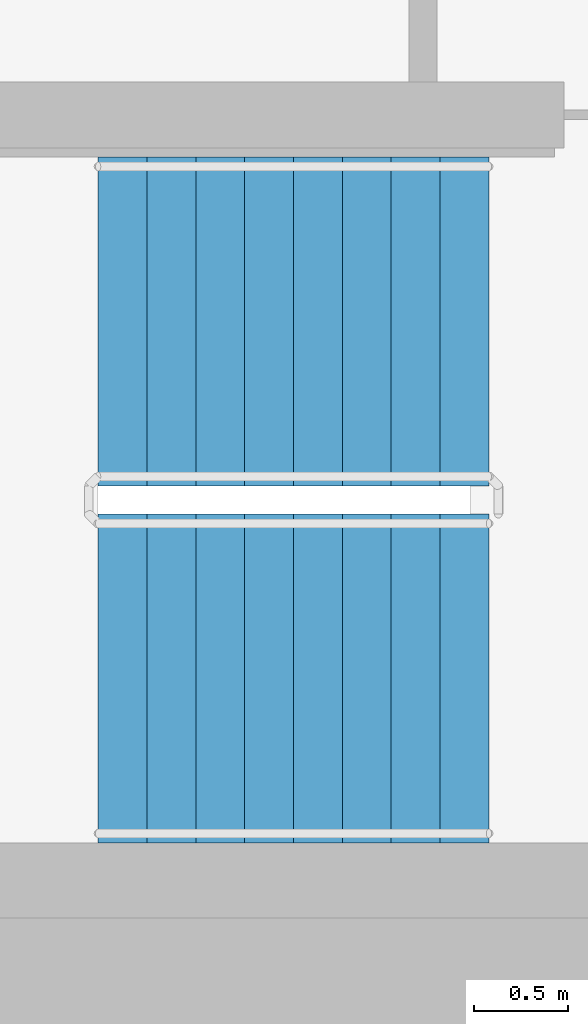
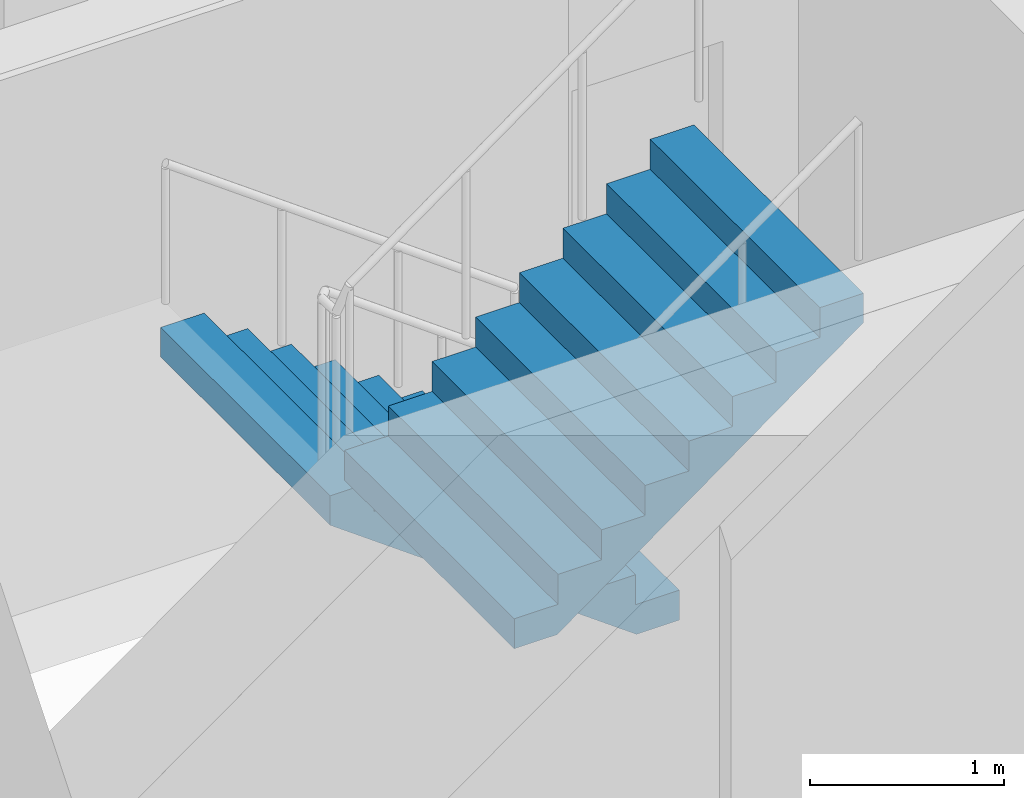
# One storey, part 12 of 18: 2 stair flights, 1 element without a shape of its own.
"""IFC4 building model written with IfcOpenShell, lengths in metres."""

from ifc_helpers import new_model, si_unit, direction, frame, origin, place, context, subcontext, project, spatial, faceted_brep, material, type_object, element, aggregate, save


model = new_model("IFC4")

# Units and contexts
model_context = context("Model", 3, precision=1e-05, world=origin(), true_north=direction((0.0, 1.0)))
body_context = subcontext(model_context, "Body", "Model", "MODEL_VIEW")
ifc_project = project(units=[si_unit("LENGTHUNIT", "METRE"), si_unit("AREAUNIT", "SQUARE_METRE"), si_unit("VOLUMEUNIT", "CUBIC_METRE"), si_unit("PLANEANGLEUNIT", "RADIAN"), si_unit("MASSUNIT", "GRAM", prefix="KILO")], contexts=[model_context])

# Site, building, storey
site_placement = place(None, origin())
site = spatial("IfcSite", under=ifc_project, at=site_placement, CompositionType="ELEMENT")
building_placement = place(site_placement, origin())
building = spatial("IfcBuilding", under=site, at=building_placement, Name="Ipe Terrace Towers", CompositionType="ELEMENT")
storey_placement = place(building_placement, frame((0.0, 0.0, 143.89990234375)))
storey = spatial("IfcBuildingStorey", under=building, at=storey_placement, Name="L39", CompositionType="ELEMENT", Elevation=143.89990234375)

# Stair, stair flights
ifc_material_1 = material(Name="Concrete C30/37", Category="concrete")
stair_type = type_object("IfcStairType", Name="Protected exit stair", PredefinedType="HALF_TURN_STAIR", material=ifc_material_1)
stair_placement = place(storey_placement, origin())
stair = element("IfcStair", 1, at=stair_placement, inside=storey, type_object=stair_type, Name="L39 Exit stair T1-C2", PredefinedType="HALF_TURN_STAIR")
ifc_material_2 = material(Name="Concrete C30/37", Category="concrete")
stair_flight_type = type_object("IfcStairFlightType", Name="Exit stair flight 1750", PredefinedType="STRAIGHT", material=ifc_material_2)
stair_flight_1_placement = place(storey_placement, frame((-45.699951171875, -2.77490234375, 0.0), z_axis=(0.0, 0.0, 1.0), x_axis=(-1.0, 0.0, 0.0)))
stair_flight_1 = element("IfcStairFlight", 2, at=stair_flight_1_placement, type_object=stair_flight_type, Name="T1-ST2 flight 1", NumberOfRisers=9, NumberOfTreads=8, PredefinedType="STRAIGHT", RiserHeight=0.188888889, TreadLength=0.26, context=body_context, shape_type="Brep", body=[
    faceted_brep([(0.255126953125, -0.875, 0.0), (2.080078125, -0.875, 1.325927734375), (2.080078125, -0.875, 1.51123046875), (1.820068359375, -0.875, 1.51123046875), (1.820068359375, -0.875, 1.322265625), (1.56005859375, -0.875, 1.322265625), (1.56005859375, -0.875, 1.13330078125), (1.300048828125, -0.875, 1.13330078125), (1.300048828125, -0.875, 0.9443359375), (1.0400390625, -0.875, 0.9443359375), (1.0400390625, -0.875, 0.755615234375), (0.780029296875, -0.875, 0.755615234375), (0.780029296875, -0.875, 0.566650390625), (0.52001953125, -0.875, 0.566650390625), (0.52001953125, -0.875, 0.377685546875), (0.260009765625, -0.875, 0.377685546875), (0.260009765625, -0.875, 0.18896484375), (0.0, -0.875, 0.18896484375), (0.0, -0.875, 0.0), (0.0, 0.875, 0.0), (0.0, 0.875, 0.18896484375), (0.260009765625, 0.875, 0.18896484375), (0.260009765625, 0.875, 0.377685546875), (0.52001953125, 0.875, 0.377685546875), (0.52001953125, 0.875, 0.566650390625), (0.780029296875, 0.875, 0.566650390625), (0.780029296875, 0.875, 0.755615234375), (1.0400390625, 0.875, 0.755615234375), (1.0400390625, 0.875, 0.9443359375), (1.300048828125, 0.875, 0.9443359375), (1.300048828125, 0.875, 1.13330078125), (1.56005859375, 0.875, 1.13330078125), (1.56005859375, 0.875, 1.322265625), (1.820068359375, 0.875, 1.322265625), (1.820068359375, 0.875, 1.51123046875), (2.080078125, 0.875, 1.51123046875), (2.080078125, 0.875, 1.325927734375), (0.255126953125, 0.875, 0.0), (0.0, -0.300048828125, 0.18896484375), (0.0, -0.1201171875, 0.18896484375), (0.0, -0.06005859375, 0.18896484375), (0.0, -0.030029296875, 0.18896484375), (0.0, -0.010009765625, 0.18896484375), (0.0, 0.0, 0.18896484375), (0.0, 0.010009765625, 0.18896484375), (0.0, 0.030029296875, 0.18896484375), (0.0, 0.06005859375, 0.18896484375), (0.0, 0.1201171875, 0.18896484375), (0.0, 0.300048828125, 0.18896484375), (0.0, 0.300048828125, 0.0), (0.0, 0.1201171875, 0.0), (0.0, 0.06005859375, 0.0), (0.0, 0.030029296875, 0.0), (0.0, 0.010009765625, 0.0), (0.0, 0.0, 0.0), (0.0, -0.010009765625, 0.0), (0.0, -0.030029296875, 0.0), (0.0, -0.06005859375, 0.0), (0.0, -0.1201171875, 0.0), (0.0, -0.300048828125, 0.0), (0.260009765625, -0.300048828125, 0.18896484375), (0.260009765625, -0.1201171875, 0.18896484375), (0.260009765625, -0.06005859375, 0.18896484375), (0.260009765625, -0.030029296875, 0.18896484375), (0.260009765625, -0.010009765625, 0.18896484375), (0.260009765625, 0.0, 0.18896484375), (0.260009765625, 0.010009765625, 0.18896484375), (0.260009765625, 0.030029296875, 0.18896484375), (0.260009765625, 0.06005859375, 0.18896484375), (0.260009765625, 0.1201171875, 0.18896484375), (0.260009765625, 0.300048828125, 0.18896484375), (0.260009765625, -0.300048828125, 0.377685546875), (0.260009765625, -0.1201171875, 0.377685546875), (0.260009765625, -0.06005859375, 0.377685546875), (0.260009765625, -0.030029296875, 0.377685546875), (0.260009765625, -0.010009765625, 0.377685546875), (0.260009765625, 0.0, 0.377685546875), (0.260009765625, 0.010009765625, 0.377685546875), (0.260009765625, 0.030029296875, 0.377685546875), (0.260009765625, 0.06005859375, 0.377685546875), (0.260009765625, 0.1201171875, 0.377685546875), (0.260009765625, 0.300048828125, 0.377685546875), (0.52001953125, -0.300048828125, 0.377685546875), (0.52001953125, -0.1201171875, 0.377685546875), (0.52001953125, -0.06005859375, 0.377685546875), (0.52001953125, -0.030029296875, 0.377685546875), (0.52001953125, -0.010009765625, 0.377685546875), (0.52001953125, 0.0, 0.377685546875), (0.52001953125, 0.010009765625, 0.377685546875), (0.52001953125, 0.030029296875, 0.377685546875), (0.52001953125, 0.06005859375, 0.377685546875), (0.52001953125, 0.1201171875, 0.377685546875), (0.52001953125, 0.300048828125, 0.377685546875), (0.52001953125, -0.300048828125, 0.566650390625), (0.52001953125, -0.1201171875, 0.566650390625), (0.52001953125, -0.06005859375, 0.566650390625), (0.52001953125, -0.030029296875, 0.566650390625), (0.52001953125, -0.010009765625, 0.566650390625), (0.52001953125, 0.0, 0.566650390625), (0.52001953125, 0.010009765625, 0.566650390625), (0.52001953125, 0.030029296875, 0.566650390625), (0.52001953125, 0.06005859375, 0.566650390625), (0.52001953125, 0.1201171875, 0.566650390625), (0.52001953125, 0.300048828125, 0.566650390625), (0.780029296875, -0.300048828125, 0.566650390625), (0.780029296875, -0.1201171875, 0.566650390625), (0.780029296875, -0.06005859375, 0.566650390625), (0.780029296875, -0.030029296875, 0.566650390625), (0.780029296875, -0.010009765625, 0.566650390625), (0.780029296875, 0.0, 0.566650390625), (0.780029296875, 0.010009765625, 0.566650390625), (0.780029296875, 0.030029296875, 0.566650390625), (0.780029296875, 0.06005859375, 0.566650390625), (0.780029296875, 0.1201171875, 0.566650390625), (0.780029296875, 0.300048828125, 0.566650390625), (0.780029296875, -0.300048828125, 0.755615234375), (0.780029296875, -0.1201171875, 0.755615234375), (0.780029296875, -0.06005859375, 0.755615234375), (0.780029296875, -0.030029296875, 0.755615234375), (0.780029296875, -0.010009765625, 0.755615234375), (0.780029296875, 0.0, 0.755615234375), (0.780029296875, 0.010009765625, 0.755615234375), (0.780029296875, 0.030029296875, 0.755615234375), (0.780029296875, 0.06005859375, 0.755615234375), (0.780029296875, 0.1201171875, 0.755615234375), (0.780029296875, 0.300048828125, 0.755615234375), (1.0400390625, -0.300048828125, 0.755615234375), (1.0400390625, -0.1201171875, 0.755615234375), (1.0400390625, -0.06005859375, 0.755615234375), (1.0400390625, -0.030029296875, 0.755615234375), (1.0400390625, -0.010009765625, 0.755615234375), (1.0400390625, 0.0, 0.755615234375), (1.0400390625, 0.010009765625, 0.755615234375), (1.0400390625, 0.030029296875, 0.755615234375), (1.0400390625, 0.06005859375, 0.755615234375), (1.0400390625, 0.1201171875, 0.755615234375), (1.0400390625, 0.300048828125, 0.755615234375), (1.0400390625, -0.300048828125, 0.9443359375), (1.0400390625, -0.1201171875, 0.9443359375), (1.0400390625, -0.06005859375, 0.9443359375), (1.0400390625, -0.030029296875, 0.9443359375), (1.0400390625, -0.010009765625, 0.9443359375), (1.0400390625, 0.0, 0.9443359375), (1.0400390625, 0.010009765625, 0.9443359375), (1.0400390625, 0.030029296875, 0.9443359375), (1.0400390625, 0.06005859375, 0.9443359375), (1.0400390625, 0.1201171875, 0.9443359375), (1.0400390625, 0.300048828125, 0.9443359375), (1.300048828125, -0.300048828125, 0.9443359375), (1.300048828125, -0.1201171875, 0.9443359375), (1.300048828125, -0.06005859375, 0.9443359375), (1.300048828125, -0.030029296875, 0.9443359375), (1.300048828125, -0.010009765625, 0.9443359375), (1.300048828125, 0.0, 0.9443359375), (1.300048828125, 0.010009765625, 0.9443359375), (1.300048828125, 0.030029296875, 0.9443359375), (1.300048828125, 0.06005859375, 0.9443359375), (1.300048828125, 0.1201171875, 0.9443359375), (1.300048828125, 0.300048828125, 0.9443359375), (1.300048828125, -0.300048828125, 1.13330078125), (1.300048828125, -0.1201171875, 1.13330078125), (1.300048828125, -0.06005859375, 1.13330078125), (1.300048828125, -0.030029296875, 1.13330078125), (1.300048828125, -0.010009765625, 1.13330078125), (1.300048828125, 0.0, 1.13330078125), (1.300048828125, 0.010009765625, 1.13330078125), (1.300048828125, 0.030029296875, 1.13330078125), (1.300048828125, 0.06005859375, 1.13330078125), (1.300048828125, 0.1201171875, 1.13330078125), (1.300048828125, 0.300048828125, 1.13330078125), (1.56005859375, -0.300048828125, 1.13330078125), (1.56005859375, -0.1201171875, 1.13330078125), (1.56005859375, -0.06005859375, 1.13330078125), (1.56005859375, -0.030029296875, 1.13330078125), (1.56005859375, -0.010009765625, 1.13330078125), (1.56005859375, 0.0, 1.13330078125), (1.56005859375, 0.010009765625, 1.13330078125), (1.56005859375, 0.030029296875, 1.13330078125), (1.56005859375, 0.06005859375, 1.13330078125), (1.56005859375, 0.1201171875, 1.13330078125), (1.56005859375, 0.300048828125, 1.13330078125), (1.56005859375, -0.300048828125, 1.322265625), (1.56005859375, -0.1201171875, 1.322265625), (1.56005859375, -0.06005859375, 1.322265625), (1.56005859375, -0.030029296875, 1.322265625), (1.56005859375, -0.010009765625, 1.322265625), (1.56005859375, 0.0, 1.322265625), (1.56005859375, 0.010009765625, 1.322265625), (1.56005859375, 0.030029296875, 1.322265625), (1.56005859375, 0.06005859375, 1.322265625), (1.56005859375, 0.1201171875, 1.322265625), (1.56005859375, 0.300048828125, 1.322265625), (1.820068359375, -0.300048828125, 1.322265625), (1.820068359375, -0.1201171875, 1.322265625), (1.820068359375, -0.06005859375, 1.322265625), (1.820068359375, -0.030029296875, 1.322265625), (1.820068359375, -0.010009765625, 1.322265625), (1.820068359375, 0.0, 1.322265625), (1.820068359375, 0.010009765625, 1.322265625), (1.820068359375, 0.030029296875, 1.322265625), (1.820068359375, 0.06005859375, 1.322265625), (1.820068359375, 0.1201171875, 1.322265625), (1.820068359375, 0.300048828125, 1.322265625), (1.820068359375, -0.300048828125, 1.51123046875), (1.820068359375, -0.1201171875, 1.51123046875), (1.820068359375, -0.06005859375, 1.51123046875), (1.820068359375, -0.030029296875, 1.51123046875), (1.820068359375, -0.010009765625, 1.51123046875), (1.820068359375, 0.0, 1.51123046875), (1.820068359375, 0.010009765625, 1.51123046875), (1.820068359375, 0.030029296875, 1.51123046875), (1.820068359375, 0.06005859375, 1.51123046875), (1.820068359375, 0.1201171875, 1.51123046875), (1.820068359375, 0.300048828125, 1.51123046875), (2.080078125, -0.300048828125, 1.51123046875), (2.080078125, -0.1201171875, 1.51123046875), (2.080078125, -0.06005859375, 1.51123046875), (2.080078125, -0.030029296875, 1.51123046875), (2.080078125, -0.010009765625, 1.51123046875), (2.080078125, 0.0, 1.51123046875), (2.080078125, 0.010009765625, 1.51123046875), (2.080078125, 0.030029296875, 1.51123046875), (2.080078125, 0.06005859375, 1.51123046875), (2.080078125, 0.1201171875, 1.51123046875), (2.080078125, 0.300048828125, 1.51123046875), (2.080078125, -0.300048828125, 1.325927734375), (2.080078125, -0.1201171875, 1.325927734375), (2.080078125, -0.06005859375, 1.325927734375), (2.080078125, -0.030029296875, 1.325927734375), (2.080078125, -0.010009765625, 1.325927734375), (2.080078125, 0.0, 1.325927734375), (2.080078125, 0.010009765625, 1.325927734375), (2.080078125, 0.030029296875, 1.325927734375), (2.080078125, 0.06005859375, 1.325927734375), (2.080078125, 0.1201171875, 1.325927734375), (2.080078125, 0.300048828125, 1.325927734375), (0.255126953125, -0.300048828125, 0.0), (0.255126953125, -0.1201171875, 0.0), (0.255126953125, -0.06005859375, 0.0), (0.255126953125, -0.030029296875, 0.0), (0.255126953125, -0.010009765625, 0.0), (0.255126953125, 0.0, 0.0), (0.255126953125, 0.010009765625, 0.0), (0.255126953125, 0.030029296875, 0.0), (0.255126953125, 0.06005859375, 0.0), (0.255126953125, 0.1201171875, 0.0), (0.255126953125, 0.300048828125, 0.0)], [[[0, 1, 2, 3, 4, 5, 6, 7, 8, 9, 10, 11, 12, 13, 14, 15, 16, 17, 18]], [[19, 20, 21, 22, 23, 24, 25, 26, 27, 28, 29, 30, 31, 32, 33, 34, 35, 36, 37]], [[17, 38, 39, 40, 41, 42, 43, 44, 45, 46, 47, 48, 20, 19, 49, 50, 51, 52, 53, 54, 55, 56, 57, 58, 59, 18]], [[16, 60, 61, 62, 63, 64, 65, 66, 67, 68, 69, 70, 21, 20, 48, 47, 46, 45, 44, 43, 42, 41, 40, 39, 38, 17]], [[15, 71, 72, 73, 74, 75, 76, 77, 78, 79, 80, 81, 22, 21, 70, 69, 68, 67, 66, 65, 64, 63, 62, 61, 60, 16]], [[14, 82, 83, 84, 85, 86, 87, 88, 89, 90, 91, 92, 23, 22, 81, 80, 79, 78, 77, 76, 75, 74, 73, 72, 71, 15]], [[13, 93, 94, 95, 96, 97, 98, 99, 100, 101, 102, 103, 24, 23, 92, 91, 90, 89, 88, 87, 86, 85, 84, 83, 82, 14]], [[12, 104, 105, 106, 107, 108, 109, 110, 111, 112, 113, 114, 25, 24, 103, 102, 101, 100, 99, 98, 97, 96, 95, 94, 93, 13]], [[11, 115, 116, 117, 118, 119, 120, 121, 122, 123, 124, 125, 26, 25, 114, 113, 112, 111, 110, 109, 108, 107, 106, 105, 104, 12]], [[10, 126, 127, 128, 129, 130, 131, 132, 133, 134, 135, 136, 27, 26, 125, 124, 123, 122, 121, 120, 119, 118, 117, 116, 115, 11]], [[9, 137, 138, 139, 140, 141, 142, 143, 144, 145, 146, 147, 28, 27, 136, 135, 134, 133, 132, 131, 130, 129, 128, 127, 126, 10]], [[8, 148, 149, 150, 151, 152, 153, 154, 155, 156, 157, 158, 29, 28, 147, 146, 145, 144, 143, 142, 141, 140, 139, 138, 137, 9]], [[7, 159, 160, 161, 162, 163, 164, 165, 166, 167, 168, 169, 30, 29, 158, 157, 156, 155, 154, 153, 152, 151, 150, 149, 148, 8]], [[6, 170, 171, 172, 173, 174, 175, 176, 177, 178, 179, 180, 31, 30, 169, 168, 167, 166, 165, 164, 163, 162, 161, 160, 159, 7]], [[5, 181, 182, 183, 184, 185, 186, 187, 188, 189, 190, 191, 32, 31, 180, 179, 178, 177, 176, 175, 174, 173, 172, 171, 170, 6]], [[4, 192, 193, 194, 195, 196, 197, 198, 199, 200, 201, 202, 33, 32, 191, 190, 189, 188, 187, 186, 185, 184, 183, 182, 181, 5]], [[3, 203, 204, 205, 206, 207, 208, 209, 210, 211, 212, 213, 34, 33, 202, 201, 200, 199, 198, 197, 196, 195, 194, 193, 192, 4]], [[2, 214, 215, 216, 217, 218, 219, 220, 221, 222, 223, 224, 35, 34, 213, 212, 211, 210, 209, 208, 207, 206, 205, 204, 203, 3]], [[1, 225, 226, 227, 228, 229, 230, 231, 232, 233, 234, 235, 36, 35, 224, 223, 222, 221, 220, 219, 218, 217, 216, 215, 214, 2]], [[0, 236, 237, 238, 239, 240, 241, 242, 243, 244, 245, 246, 37, 36, 235, 234, 233, 232, 231, 230, 229, 228, 227, 226, 225, 1]], [[18, 59, 58, 57, 56, 55, 54, 53, 52, 51, 50, 49, 19, 37, 246, 245, 244, 243, 242, 241, 240, 239, 238, 237, 236, 0]]]),
])
stair_flight_2_placement = place(storey_placement, frame((-47.780029296875, -4.675048828125, 1.7001953125), z_axis=(0.0, 0.0, 1.0), x_axis=(1.0, 0.0, 0.0)))
stair_flight_2 = element("IfcStairFlight", 3, at=stair_flight_2_placement, type_object=stair_flight_type, Name="T1-ST2 flight 2", NumberOfRisers=9, NumberOfTreads=8, PredefinedType="STRAIGHT", RiserHeight=0.188888889, TreadLength=0.26, context=body_context, shape_type="Brep", body=[
    faceted_brep([(0.255126953125, -0.875, 0.0), (2.080078125, -0.875, 1.325927734375), (2.080078125, -0.875, 1.51123046875), (1.820068359375, -0.875, 1.51123046875), (1.820068359375, -0.875, 1.322265625), (1.56005859375, -0.875, 1.322265625), (1.56005859375, -0.875, 1.13330078125), (1.300048828125, -0.875, 1.13330078125), (1.300048828125, -0.875, 0.9443359375), (1.0400390625, -0.875, 0.9443359375), (1.0400390625, -0.875, 0.755615234375), (0.780029296875, -0.875, 0.755615234375), (0.780029296875, -0.875, 0.566650390625), (0.52001953125, -0.875, 0.566650390625), (0.52001953125, -0.875, 0.377685546875), (0.260009765625, -0.875, 0.377685546875), (0.260009765625, -0.875, 0.18896484375), (0.0, -0.875, 0.18896484375), (0.0, -0.875, 0.0), (0.0, 0.875, 0.0), (0.0, 0.875, 0.18896484375), (0.260009765625, 0.875, 0.18896484375), (0.260009765625, 0.875, 0.377685546875), (0.52001953125, 0.875, 0.377685546875), (0.52001953125, 0.875, 0.566650390625), (0.780029296875, 0.875, 0.566650390625), (0.780029296875, 0.875, 0.755615234375), (1.0400390625, 0.875, 0.755615234375), (1.0400390625, 0.875, 0.9443359375), (1.300048828125, 0.875, 0.9443359375), (1.300048828125, 0.875, 1.13330078125), (1.56005859375, 0.875, 1.13330078125), (1.56005859375, 0.875, 1.322265625), (1.820068359375, 0.875, 1.322265625), (1.820068359375, 0.875, 1.51123046875), (2.080078125, 0.875, 1.51123046875), (2.080078125, 0.875, 1.325927734375), (0.255126953125, 0.875, 0.0), (0.0, -0.300048828125, 0.18896484375), (0.0, -0.1201171875, 0.18896484375), (0.0, -0.06005859375, 0.18896484375), (0.0, -0.030029296875, 0.18896484375), (0.0, -0.010009765625, 0.18896484375), (0.0, 0.0, 0.18896484375), (0.0, 0.010009765625, 0.18896484375), (0.0, 0.030029296875, 0.18896484375), (0.0, 0.06005859375, 0.18896484375), (0.0, 0.1201171875, 0.18896484375), (0.0, 0.300048828125, 0.18896484375), (0.0, 0.300048828125, 0.0), (0.0, 0.1201171875, 0.0), (0.0, 0.06005859375, 0.0), (0.0, 0.030029296875, 0.0), (0.0, 0.010009765625, 0.0), (0.0, 0.0, 0.0), (0.0, -0.010009765625, 0.0), (0.0, -0.030029296875, 0.0), (0.0, -0.06005859375, 0.0), (0.0, -0.1201171875, 0.0), (0.0, -0.300048828125, 0.0), (0.260009765625, -0.300048828125, 0.18896484375), (0.260009765625, -0.1201171875, 0.18896484375), (0.260009765625, -0.06005859375, 0.18896484375), (0.260009765625, -0.030029296875, 0.18896484375), (0.260009765625, -0.010009765625, 0.18896484375), (0.260009765625, 0.0, 0.18896484375), (0.260009765625, 0.010009765625, 0.18896484375), (0.260009765625, 0.030029296875, 0.18896484375), (0.260009765625, 0.06005859375, 0.18896484375), (0.260009765625, 0.1201171875, 0.18896484375), (0.260009765625, 0.300048828125, 0.18896484375), (0.260009765625, -0.300048828125, 0.377685546875), (0.260009765625, -0.1201171875, 0.377685546875), (0.260009765625, -0.06005859375, 0.377685546875), (0.260009765625, -0.030029296875, 0.377685546875), (0.260009765625, -0.010009765625, 0.377685546875), (0.260009765625, 0.0, 0.377685546875), (0.260009765625, 0.010009765625, 0.377685546875), (0.260009765625, 0.030029296875, 0.377685546875), (0.260009765625, 0.06005859375, 0.377685546875), (0.260009765625, 0.1201171875, 0.377685546875), (0.260009765625, 0.300048828125, 0.377685546875), (0.52001953125, -0.300048828125, 0.377685546875), (0.52001953125, -0.1201171875, 0.377685546875), (0.52001953125, -0.06005859375, 0.377685546875), (0.52001953125, -0.030029296875, 0.377685546875), (0.52001953125, -0.010009765625, 0.377685546875), (0.52001953125, 0.0, 0.377685546875), (0.52001953125, 0.010009765625, 0.377685546875), (0.52001953125, 0.030029296875, 0.377685546875), (0.52001953125, 0.06005859375, 0.377685546875), (0.52001953125, 0.1201171875, 0.377685546875), (0.52001953125, 0.300048828125, 0.377685546875), (0.52001953125, -0.300048828125, 0.566650390625), (0.52001953125, -0.1201171875, 0.566650390625), (0.52001953125, -0.06005859375, 0.566650390625), (0.52001953125, -0.030029296875, 0.566650390625), (0.52001953125, -0.010009765625, 0.566650390625), (0.52001953125, 0.0, 0.566650390625), (0.52001953125, 0.010009765625, 0.566650390625), (0.52001953125, 0.030029296875, 0.566650390625), (0.52001953125, 0.06005859375, 0.566650390625), (0.52001953125, 0.1201171875, 0.566650390625), (0.52001953125, 0.300048828125, 0.566650390625), (0.780029296875, -0.300048828125, 0.566650390625), (0.780029296875, -0.1201171875, 0.566650390625), (0.780029296875, -0.06005859375, 0.566650390625), (0.780029296875, -0.030029296875, 0.566650390625), (0.780029296875, -0.010009765625, 0.566650390625), (0.780029296875, 0.0, 0.566650390625), (0.780029296875, 0.010009765625, 0.566650390625), (0.780029296875, 0.030029296875, 0.566650390625), (0.780029296875, 0.06005859375, 0.566650390625), (0.780029296875, 0.1201171875, 0.566650390625), (0.780029296875, 0.300048828125, 0.566650390625), (0.780029296875, -0.300048828125, 0.755615234375), (0.780029296875, -0.1201171875, 0.755615234375), (0.780029296875, -0.06005859375, 0.755615234375), (0.780029296875, -0.030029296875, 0.755615234375), (0.780029296875, -0.010009765625, 0.755615234375), (0.780029296875, 0.0, 0.755615234375), (0.780029296875, 0.010009765625, 0.755615234375), (0.780029296875, 0.030029296875, 0.755615234375), (0.780029296875, 0.06005859375, 0.755615234375), (0.780029296875, 0.1201171875, 0.755615234375), (0.780029296875, 0.300048828125, 0.755615234375), (1.0400390625, -0.300048828125, 0.755615234375), (1.0400390625, -0.1201171875, 0.755615234375), (1.0400390625, -0.06005859375, 0.755615234375), (1.0400390625, -0.030029296875, 0.755615234375), (1.0400390625, -0.010009765625, 0.755615234375), (1.0400390625, 0.0, 0.755615234375), (1.0400390625, 0.010009765625, 0.755615234375), (1.0400390625, 0.030029296875, 0.755615234375), (1.0400390625, 0.06005859375, 0.755615234375), (1.0400390625, 0.1201171875, 0.755615234375), (1.0400390625, 0.300048828125, 0.755615234375), (1.0400390625, -0.300048828125, 0.9443359375), (1.0400390625, -0.1201171875, 0.9443359375), (1.0400390625, -0.06005859375, 0.9443359375), (1.0400390625, -0.030029296875, 0.9443359375), (1.0400390625, -0.010009765625, 0.9443359375), (1.0400390625, 0.0, 0.9443359375), (1.0400390625, 0.010009765625, 0.9443359375), (1.0400390625, 0.030029296875, 0.9443359375), (1.0400390625, 0.06005859375, 0.9443359375), (1.0400390625, 0.1201171875, 0.9443359375), (1.0400390625, 0.300048828125, 0.9443359375), (1.300048828125, -0.300048828125, 0.9443359375), (1.300048828125, -0.1201171875, 0.9443359375), (1.300048828125, -0.06005859375, 0.9443359375), (1.300048828125, -0.030029296875, 0.9443359375), (1.300048828125, -0.010009765625, 0.9443359375), (1.300048828125, 0.0, 0.9443359375), (1.300048828125, 0.010009765625, 0.9443359375), (1.300048828125, 0.030029296875, 0.9443359375), (1.300048828125, 0.06005859375, 0.9443359375), (1.300048828125, 0.1201171875, 0.9443359375), (1.300048828125, 0.300048828125, 0.9443359375), (1.300048828125, -0.300048828125, 1.13330078125), (1.300048828125, -0.1201171875, 1.13330078125), (1.300048828125, -0.06005859375, 1.13330078125), (1.300048828125, -0.030029296875, 1.13330078125), (1.300048828125, -0.010009765625, 1.13330078125), (1.300048828125, 0.0, 1.13330078125), (1.300048828125, 0.010009765625, 1.13330078125), (1.300048828125, 0.030029296875, 1.13330078125), (1.300048828125, 0.06005859375, 1.13330078125), (1.300048828125, 0.1201171875, 1.13330078125), (1.300048828125, 0.300048828125, 1.13330078125), (1.56005859375, -0.300048828125, 1.13330078125), (1.56005859375, -0.1201171875, 1.13330078125), (1.56005859375, -0.06005859375, 1.13330078125), (1.56005859375, -0.030029296875, 1.13330078125), (1.56005859375, -0.010009765625, 1.13330078125), (1.56005859375, 0.0, 1.13330078125), (1.56005859375, 0.010009765625, 1.13330078125), (1.56005859375, 0.030029296875, 1.13330078125), (1.56005859375, 0.06005859375, 1.13330078125), (1.56005859375, 0.1201171875, 1.13330078125), (1.56005859375, 0.300048828125, 1.13330078125), (1.56005859375, -0.300048828125, 1.322265625), (1.56005859375, -0.1201171875, 1.322265625), (1.56005859375, -0.06005859375, 1.322265625), (1.56005859375, -0.030029296875, 1.322265625), (1.56005859375, -0.010009765625, 1.322265625), (1.56005859375, 0.0, 1.322265625), (1.56005859375, 0.010009765625, 1.322265625), (1.56005859375, 0.030029296875, 1.322265625), (1.56005859375, 0.06005859375, 1.322265625), (1.56005859375, 0.1201171875, 1.322265625), (1.56005859375, 0.300048828125, 1.322265625), (1.820068359375, -0.300048828125, 1.322265625), (1.820068359375, -0.1201171875, 1.322265625), (1.820068359375, -0.06005859375, 1.322265625), (1.820068359375, -0.030029296875, 1.322265625), (1.820068359375, -0.010009765625, 1.322265625), (1.820068359375, 0.0, 1.322265625), (1.820068359375, 0.010009765625, 1.322265625), (1.820068359375, 0.030029296875, 1.322265625), (1.820068359375, 0.06005859375, 1.322265625), (1.820068359375, 0.1201171875, 1.322265625), (1.820068359375, 0.300048828125, 1.322265625), (1.820068359375, -0.300048828125, 1.51123046875), (1.820068359375, -0.1201171875, 1.51123046875), (1.820068359375, -0.06005859375, 1.51123046875), (1.820068359375, -0.030029296875, 1.51123046875), (1.820068359375, -0.010009765625, 1.51123046875), (1.820068359375, 0.0, 1.51123046875), (1.820068359375, 0.010009765625, 1.51123046875), (1.820068359375, 0.030029296875, 1.51123046875), (1.820068359375, 0.06005859375, 1.51123046875), (1.820068359375, 0.1201171875, 1.51123046875), (1.820068359375, 0.300048828125, 1.51123046875), (2.080078125, -0.300048828125, 1.51123046875), (2.080078125, -0.1201171875, 1.51123046875), (2.080078125, -0.06005859375, 1.51123046875), (2.080078125, -0.030029296875, 1.51123046875), (2.080078125, -0.010009765625, 1.51123046875), (2.080078125, 0.0, 1.51123046875), (2.080078125, 0.010009765625, 1.51123046875), (2.080078125, 0.030029296875, 1.51123046875), (2.080078125, 0.06005859375, 1.51123046875), (2.080078125, 0.1201171875, 1.51123046875), (2.080078125, 0.300048828125, 1.51123046875), (2.080078125, -0.300048828125, 1.325927734375), (2.080078125, -0.1201171875, 1.325927734375), (2.080078125, -0.06005859375, 1.325927734375), (2.080078125, -0.030029296875, 1.325927734375), (2.080078125, -0.010009765625, 1.325927734375), (2.080078125, 0.0, 1.325927734375), (2.080078125, 0.010009765625, 1.325927734375), (2.080078125, 0.030029296875, 1.325927734375), (2.080078125, 0.06005859375, 1.325927734375), (2.080078125, 0.1201171875, 1.325927734375), (2.080078125, 0.300048828125, 1.325927734375), (0.255126953125, -0.300048828125, 0.0), (0.255126953125, -0.1201171875, 0.0), (0.255126953125, -0.06005859375, 0.0), (0.255126953125, -0.030029296875, 0.0), (0.255126953125, -0.010009765625, 0.0), (0.255126953125, 0.0, 0.0), (0.255126953125, 0.010009765625, 0.0), (0.255126953125, 0.030029296875, 0.0), (0.255126953125, 0.06005859375, 0.0), (0.255126953125, 0.1201171875, 0.0), (0.255126953125, 0.300048828125, 0.0)], [[[0, 1, 2, 3, 4, 5, 6, 7, 8, 9, 10, 11, 12, 13, 14, 15, 16, 17, 18]], [[19, 20, 21, 22, 23, 24, 25, 26, 27, 28, 29, 30, 31, 32, 33, 34, 35, 36, 37]], [[17, 38, 39, 40, 41, 42, 43, 44, 45, 46, 47, 48, 20, 19, 49, 50, 51, 52, 53, 54, 55, 56, 57, 58, 59, 18]], [[16, 60, 61, 62, 63, 64, 65, 66, 67, 68, 69, 70, 21, 20, 48, 47, 46, 45, 44, 43, 42, 41, 40, 39, 38, 17]], [[15, 71, 72, 73, 74, 75, 76, 77, 78, 79, 80, 81, 22, 21, 70, 69, 68, 67, 66, 65, 64, 63, 62, 61, 60, 16]], [[14, 82, 83, 84, 85, 86, 87, 88, 89, 90, 91, 92, 23, 22, 81, 80, 79, 78, 77, 76, 75, 74, 73, 72, 71, 15]], [[13, 93, 94, 95, 96, 97, 98, 99, 100, 101, 102, 103, 24, 23, 92, 91, 90, 89, 88, 87, 86, 85, 84, 83, 82, 14]], [[12, 104, 105, 106, 107, 108, 109, 110, 111, 112, 113, 114, 25, 24, 103, 102, 101, 100, 99, 98, 97, 96, 95, 94, 93, 13]], [[11, 115, 116, 117, 118, 119, 120, 121, 122, 123, 124, 125, 26, 25, 114, 113, 112, 111, 110, 109, 108, 107, 106, 105, 104, 12]], [[10, 126, 127, 128, 129, 130, 131, 132, 133, 134, 135, 136, 27, 26, 125, 124, 123, 122, 121, 120, 119, 118, 117, 116, 115, 11]], [[9, 137, 138, 139, 140, 141, 142, 143, 144, 145, 146, 147, 28, 27, 136, 135, 134, 133, 132, 131, 130, 129, 128, 127, 126, 10]], [[8, 148, 149, 150, 151, 152, 153, 154, 155, 156, 157, 158, 29, 28, 147, 146, 145, 144, 143, 142, 141, 140, 139, 138, 137, 9]], [[7, 159, 160, 161, 162, 163, 164, 165, 166, 167, 168, 169, 30, 29, 158, 157, 156, 155, 154, 153, 152, 151, 150, 149, 148, 8]], [[6, 170, 171, 172, 173, 174, 175, 176, 177, 178, 179, 180, 31, 30, 169, 168, 167, 166, 165, 164, 163, 162, 161, 160, 159, 7]], [[5, 181, 182, 183, 184, 185, 186, 187, 188, 189, 190, 191, 32, 31, 180, 179, 178, 177, 176, 175, 174, 173, 172, 171, 170, 6]], [[4, 192, 193, 194, 195, 196, 197, 198, 199, 200, 201, 202, 33, 32, 191, 190, 189, 188, 187, 186, 185, 184, 183, 182, 181, 5]], [[3, 203, 204, 205, 206, 207, 208, 209, 210, 211, 212, 213, 34, 33, 202, 201, 200, 199, 198, 197, 196, 195, 194, 193, 192, 4]], [[2, 214, 215, 216, 217, 218, 219, 220, 221, 222, 223, 224, 35, 34, 213, 212, 211, 210, 209, 208, 207, 206, 205, 204, 203, 3]], [[1, 225, 226, 227, 228, 229, 230, 231, 232, 233, 234, 235, 36, 35, 224, 223, 222, 221, 220, 219, 218, 217, 216, 215, 214, 2]], [[0, 236, 237, 238, 239, 240, 241, 242, 243, 244, 245, 246, 37, 36, 235, 234, 233, 232, 231, 230, 229, 228, 227, 226, 225, 1]], [[18, 59, 58, 57, 56, 55, 54, 53, 52, 51, 50, 49, 19, 37, 246, 245, 244, 243, 242, 241, 240, 239, 238, 237, 236, 0]]]),
])
aggregate(stair, [stair_flight_1, stair_flight_2])

save(model, "model.ifc")
